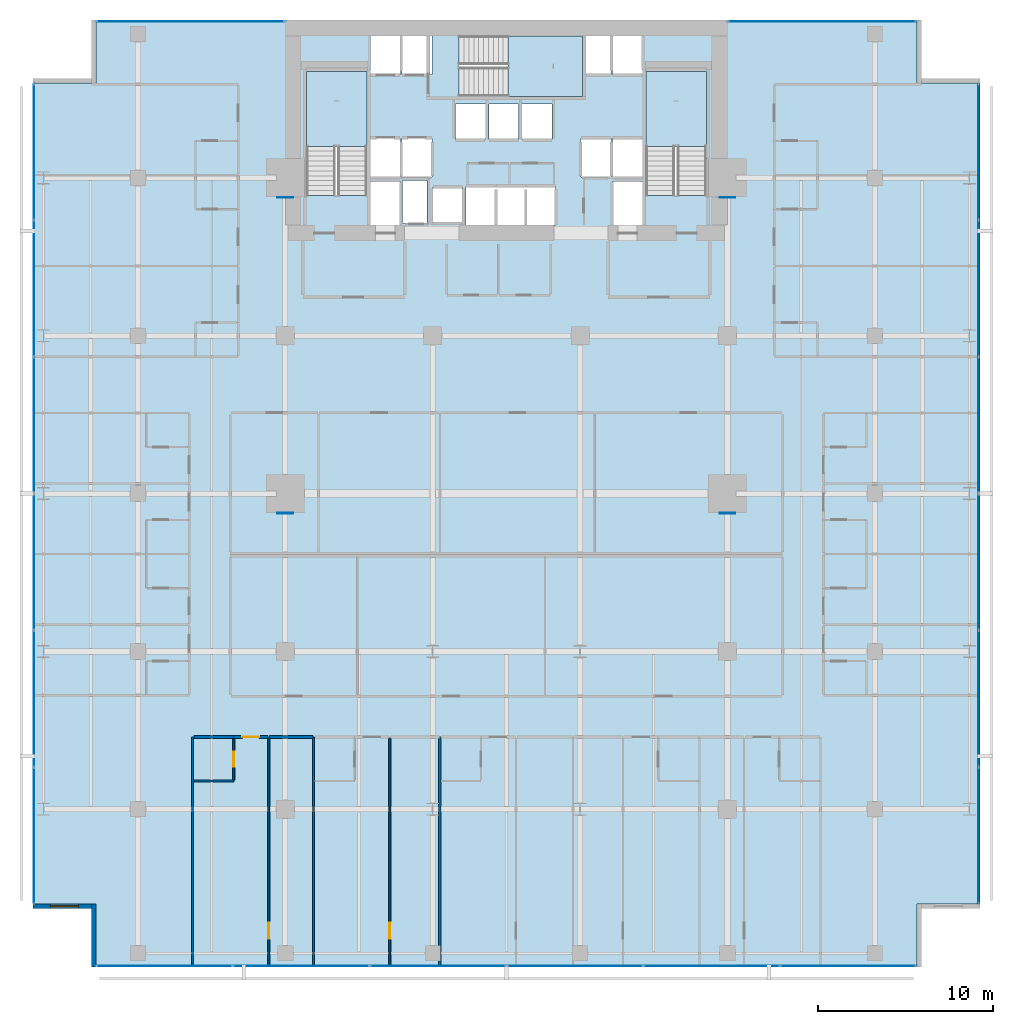
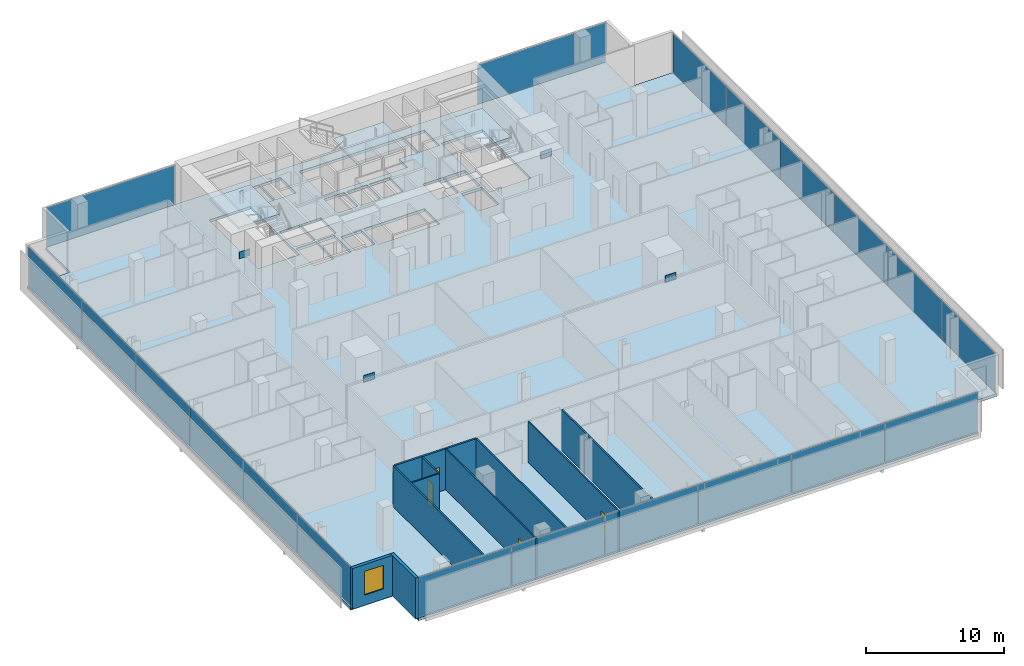
# One storey, part 32 of 41: 24 plates, 12 walls, 4 doors, 4 slabs, 1 window, 5 openings, 8 elements without a shape of their own.
"""IFC4 building model written with IfcOpenShell, lengths in metres."""

from ifc_helpers import new_model, si_unit, direction, frame, frame_2d, origin, origin_2d, place, context, subcontext, project, spatial, polyline, rectangle, outline, extrude, material, layer, layer_set, type_object, element, fill, aggregate, save


model = new_model("IFC4")

# Units and contexts
model_context = context("Model", 3, precision=1e-05, world=origin(), true_north=direction((0.0, 1.0)))
body_context = subcontext(model_context, "Body", "Model", "MODEL_VIEW")
ifc_project = project(units=[si_unit("LENGTHUNIT", "METRE"), si_unit("AREAUNIT", "SQUARE_METRE"), si_unit("VOLUMEUNIT", "CUBIC_METRE"), si_unit("PLANEANGLEUNIT", "RADIAN"), si_unit("MASSUNIT", "GRAM", prefix="KILO")], contexts=[model_context])

# Site, building, storey
site_placement = place(None, origin())
site = spatial("IfcSite", under=ifc_project, at=site_placement, CompositionType="ELEMENT")
building_placement = place(site_placement, origin())
building = spatial("IfcBuilding", under=site, at=building_placement, Name="Maruvema Waterfront Hotel and Observation Tower", CompositionType="ELEMENT")
storey_placement = place(building_placement, frame((0.0, 0.0, 84.699951171875)))
storey = spatial("IfcBuildingStorey", under=building, at=storey_placement, Name="L20", CompositionType="ELEMENT", Elevation=84.699951171875)

# Slab
ifc_material_1 = material(Name="Concrete C50/60", Category="concrete")
ifc_layer_1 = layer(ifc_material_1, 0.239990234375, Name="Reinforced Concrete Floor Slab 240 mm")
ifc_layer_set_1 = layer_set([ifc_layer_1], Name="Concrete C50/60")
slab_type_1 = type_object("IfcSlabType", Name="Reinforced Concrete Floor Slab 240 mm", PredefinedType="FLOOR", material=ifc_layer_set_1)
slab_1_placement = place(storey_placement, frame((0.0, 0.0, -0.239990234375)))
element("IfcSlab", 1, at=slab_1_placement, inside=storey, type_object=slab_type_1, Name="L20 Structural Floor Slab", PredefinedType="FLOOR", context=body_context, shape_type="SweptSolid", body=[
    extrude(outline(polyline([(14.39990234375, 0.0), (61.199951171875, 0.0), (61.199951171875, 3.60009765625), (64.800048828125, 3.60009765625), (64.800048828125, 50.39990234375), (61.199951171875, 50.39990234375), (61.199951171875, 54.0), (14.39990234375, 54.0), (14.39990234375, 50.39990234375), (10.800048828125, 50.39990234375), (10.800048828125, 3.60009765625), (14.39990234375, 3.60009765625), (14.39990234375, 0.0)]), holes=[polyline([(26.39990234375, 44.00048828125), (26.39990234375, 51.050048828125), (29.85009765625, 51.050048828125), (29.85009765625, 44.00048828125), (26.39990234375, 44.00048828125)]), polyline([(30.050048828125, 44.800048828125), (31.75, 44.800048828125), (31.75, 42.320068359375), (30.050048828125, 42.320068359375), (30.050048828125, 44.800048828125)]), polyline([(31.75, 47.25), (31.75, 45.050048828125), (30.050048828125, 45.050048828125), (30.050048828125, 47.25), (31.75, 47.25)]), polyline([(31.75, 53.10009765625), (31.75, 50.89990234375), (30.050048828125, 50.89990234375), (30.050048828125, 53.10009765625), (31.75, 53.10009765625)]), polyline([(33.280029296875, 44.860107421875), (33.280029296875, 42.43994140625), (31.8798828125, 42.43994140625), (31.8798828125, 44.860107421875), (33.280029296875, 44.860107421875)]), polyline([(31.85009765625, 47.25), (33.550048828125, 47.25), (33.550048828125, 45.050048828125), (31.85009765625, 45.050048828125), (31.85009765625, 47.25)]), polyline([(31.85009765625, 53.10009765625), (33.550048828125, 53.10009765625), (33.550048828125, 50.89990234375), (31.85009765625, 50.89990234375), (31.85009765625, 53.10009765625)]), polyline([(33.60009765625, 44.449951171875), (35.300048828125, 44.449951171875), (35.300048828125, 42.449951171875), (33.60009765625, 42.449951171875), (33.60009765625, 44.449951171875)]), polyline([(34.89990234375, 49.199951171875), (36.60009765625, 49.199951171875), (36.60009765625, 47.199951171875), (34.89990234375, 47.199951171875), (34.89990234375, 49.199951171875)]), polyline([(38.5, 49.199951171875), (38.5, 47.199951171875), (36.800048828125, 47.199951171875), (36.800048828125, 49.199951171875), (38.5, 49.199951171875)]), polyline([(35.5, 44.5), (40.60009765625, 44.5), (40.60009765625, 42.300048828125), (35.5, 42.300048828125), (35.5, 44.5)]), polyline([(43.75, 50.89990234375), (42.14990234375, 50.89990234375), (42.14990234375, 49.64990234375), (35.1005859375, 49.64990234375), (35.1005859375, 53.10009765625), (43.75, 53.10009765625), (43.75, 50.89990234375)]), polyline([(40.39990234375, 49.199951171875), (40.39990234375, 47.199951171875), (38.699951171875, 47.199951171875), (38.699951171875, 49.199951171875), (40.39990234375, 49.199951171875)]), polyline([(43.75, 47.25), (43.75, 45.050048828125), (42.050048828125, 45.050048828125), (42.050048828125, 47.25), (43.75, 47.25)]), polyline([(45.550048828125, 44.800048828125), (45.550048828125, 42.320068359375), (43.85009765625, 42.320068359375), (43.85009765625, 44.800048828125), (45.550048828125, 44.800048828125)]), polyline([(43.85009765625, 47.25), (45.550048828125, 47.25), (45.550048828125, 45.050048828125), (43.85009765625, 45.050048828125), (43.85009765625, 47.25)]), polyline([(45.550048828125, 53.10009765625), (45.550048828125, 50.89990234375), (43.85009765625, 50.89990234375), (43.85009765625, 53.10009765625), (45.550048828125, 53.10009765625)]), polyline([(45.75, 51.050048828125), (49.199951171875, 51.050048828125), (49.199951171875, 44.00048828125), (45.75, 44.00048828125), (45.75, 51.050048828125)])]), origin(), (0.0, 0.0, 1.0), 0.239990234375),
])

# Curtain wall, plates
ifc_material_2 = material(Name="Anodised bronze aluminium and solar-control low-E IGU", Category="aluminium")
ifc_layer_2 = layer(ifc_material_2, 0.159912109375, Name="Zone 1 Bronze Inner Thermal Curtain Wall System CW-02")
ifc_layer_set_2 = layer_set([ifc_layer_2], Name="Anodised bronze aluminium and solar-control low-E IGU")
curtain_wall_type = type_object("IfcCurtainWallType", Name="Zone 1 Bronze Inner Thermal Curtain Wall System CW-02", PredefinedType="USERDEFINED", material=ifc_layer_set_2)
curtain_wall_1_placement = place(storey_placement, origin())
curtain_wall_1 = element("IfcCurtainWall", 2, at=curtain_wall_1_placement, inside=storey, type_object=curtain_wall_type, Name="L20 Curtain Wall CW-L20-S", ObjectType="UNITISED CURTAIN WALL", PredefinedType="USERDEFINED")
ifc_material_3 = material(Name="Laminated low-E solar-control double glazing", Category="glass")
ifc_layer_3 = layer(ifc_material_3, 0.035888671875, Name="Solar Control Double-Glazed Curtain Panel 36 mm")
ifc_layer_set_3 = layer_set([ifc_layer_3], Name="Laminated low-E solar-control double glazing")
plate_type_1 = type_object("IfcPlateType", Name="Solar Control Double-Glazed Curtain Panel 36 mm", PredefinedType="CURTAIN_PANEL", material=ifc_layer_set_3)
plate_1_placement = place(storey_placement, frame((18.31494140625, 0.080078125, 0.06005859375), z_axis=(0.0, 0.0, 1.0), x_axis=(1.0, 0.0, 0.0)))
plate_1 = element("IfcPlate", 3, at=plate_1_placement, type_object=plate_type_1, Name="CW-02 panel 1.1", PredefinedType="CURTAIN_PANEL", context=body_context, shape_type="SweptSolid", body=[
    extrude(rectangle(XDim=7.7099609375, YDim=0.028076171875, at=origin_2d()), origin(), (0.0, 0.0, 1.0), 3.489990234375),
])
plate_2_placement = place(storey_placement, frame((26.10009765625, 0.080078125, 0.06005859375), z_axis=(0.0, 0.0, 1.0), x_axis=(1.0, 0.0, 0.0)))
plate_2 = element("IfcPlate", 4, at=plate_2_placement, type_object=plate_type_1, Name="CW-02 panel 2.1", PredefinedType="CURTAIN_PANEL", context=body_context, shape_type="SweptSolid", body=[
    extrude(rectangle(XDim=7.739990234375, YDim=0.028076171875, at=origin_2d()), origin(), (0.0, 0.0, 1.0), 3.489990234375),
])
plate_3_placement = place(storey_placement, frame((33.89990234375, 0.080078125, 0.06005859375), z_axis=(0.0, 0.0, 1.0), x_axis=(1.0, 0.0, 0.0)))
plate_3 = element("IfcPlate", 5, at=plate_3_placement, type_object=plate_type_1, Name="CW-02 panel 3.1", PredefinedType="CURTAIN_PANEL", context=body_context, shape_type="SweptSolid", body=[
    extrude(rectangle(XDim=7.739990234375, YDim=0.028076171875, at=origin_2d()), origin(), (0.0, 0.0, 1.0), 3.489990234375),
])
plate_4_placement = place(storey_placement, frame((41.699951171875, 0.080078125, 0.06005859375), z_axis=(0.0, 0.0, 1.0), x_axis=(1.0, 0.0, 0.0)))
plate_4 = element("IfcPlate", 6, at=plate_4_placement, type_object=plate_type_1, Name="CW-02 panel 4.1", PredefinedType="CURTAIN_PANEL", context=body_context, shape_type="SweptSolid", body=[
    extrude(rectangle(XDim=7.739990234375, YDim=0.028076171875, at=origin_2d()), origin(), (0.0, 0.0, 1.0), 3.489990234375),
])
plate_5_placement = place(storey_placement, frame((49.5, 0.080078125, 0.06005859375), z_axis=(0.0, 0.0, 1.0), x_axis=(1.0, 0.0, 0.0)))
plate_5 = element("IfcPlate", 7, at=plate_5_placement, type_object=plate_type_1, Name="CW-02 panel 5.1", PredefinedType="CURTAIN_PANEL", context=body_context, shape_type="SweptSolid", body=[
    extrude(rectangle(XDim=7.739990234375, YDim=0.028076171875, at=origin_2d()), origin(), (0.0, 0.0, 1.0), 3.489990234375),
])
plate_6_placement = place(storey_placement, frame((57.284912109375, 0.080078125, 0.06005859375), z_axis=(0.0, 0.0, 1.0), x_axis=(1.0, 0.0, 0.0)))
plate_6 = element("IfcPlate", 8, at=plate_6_placement, type_object=plate_type_1, Name="CW-02 panel 6.1", PredefinedType="CURTAIN_PANEL", context=body_context, shape_type="SweptSolid", body=[
    extrude(rectangle(XDim=7.7099609375, YDim=0.028076171875, at=origin_2d()), origin(), (0.0, 0.0, 1.0), 3.489990234375),
])
aggregate(curtain_wall_1, [plate_1, plate_2, plate_3, plate_4, plate_5, plate_6])

curtain_wall_2_placement = place(storey_placement, origin())
curtain_wall_2 = element("IfcCurtainWall", 9, at=curtain_wall_2_placement, inside=storey, type_object=curtain_wall_type, Name="L20 Curtain Wall CW-L20-E", ObjectType="UNITISED CURTAIN WALL", PredefinedType="USERDEFINED")
plate_7_placement = place(storey_placement, frame((64.719970703125, 7.514892578125, 0.06005859375), z_axis=(0.0, 0.0, 1.0), x_axis=(0.0, 1.0, 0.0)))
plate_7 = element("IfcPlate", 10, at=plate_7_placement, type_object=plate_type_1, Name="CW-02 panel 1.1", PredefinedType="CURTAIN_PANEL", context=body_context, shape_type="SweptSolid", body=[
    extrude(rectangle(XDim=7.7099609375, YDim=0.028076171875, at=origin_2d()), origin(), (0.0, 0.0, 1.0), 3.489990234375),
])
plate_8_placement = place(storey_placement, frame((64.719970703125, 15.300048828125, 0.06005859375), z_axis=(0.0, 0.0, 1.0), x_axis=(0.0, 1.0, 0.0)))
plate_8 = element("IfcPlate", 11, at=plate_8_placement, type_object=plate_type_1, Name="CW-02 panel 2.1", PredefinedType="CURTAIN_PANEL", context=body_context, shape_type="SweptSolid", body=[
    extrude(rectangle(XDim=7.739990234375, YDim=0.028076171875, at=origin_2d()), origin(), (0.0, 0.0, 1.0), 3.489990234375),
])
plate_9_placement = place(storey_placement, frame((64.719970703125, 23.10009765625, 0.06005859375), z_axis=(0.0, 0.0, 1.0), x_axis=(0.0, 1.0, 0.0)))
plate_9 = element("IfcPlate", 12, at=plate_9_placement, type_object=plate_type_1, Name="CW-02 panel 3.1", PredefinedType="CURTAIN_PANEL", context=body_context, shape_type="SweptSolid", body=[
    extrude(rectangle(XDim=7.739990234375, YDim=0.028076171875, at=origin_2d()), origin(), (0.0, 0.0, 1.0), 3.489990234375),
])
plate_10_placement = place(storey_placement, frame((64.719970703125, 30.89990234375, 0.06005859375), z_axis=(0.0, 0.0, 1.0), x_axis=(0.0, 1.0, 0.0)))
plate_10 = element("IfcPlate", 13, at=plate_10_placement, type_object=plate_type_1, Name="CW-02 panel 4.1", PredefinedType="CURTAIN_PANEL", context=body_context, shape_type="SweptSolid", body=[
    extrude(rectangle(XDim=7.739990234375, YDim=0.028076171875, at=origin_2d()), origin(), (0.0, 0.0, 1.0), 3.489990234375),
])
plate_11_placement = place(storey_placement, frame((64.719970703125, 38.699951171875, 0.06005859375), z_axis=(0.0, 0.0, 1.0), x_axis=(0.0, 1.0, 0.0)))
plate_11 = element("IfcPlate", 14, at=plate_11_placement, type_object=plate_type_1, Name="CW-02 panel 5.1", PredefinedType="CURTAIN_PANEL", context=body_context, shape_type="SweptSolid", body=[
    extrude(rectangle(XDim=7.739990234375, YDim=0.028076171875, at=origin_2d()), origin(), (0.0, 0.0, 1.0), 3.489990234375),
])
plate_12_placement = place(storey_placement, frame((64.719970703125, 46.485107421875, 0.06005859375), z_axis=(0.0, 0.0, 1.0), x_axis=(0.0, 1.0, 0.0)))
plate_12 = element("IfcPlate", 15, at=plate_12_placement, type_object=plate_type_1, Name="CW-02 panel 6.1", PredefinedType="CURTAIN_PANEL", context=body_context, shape_type="SweptSolid", body=[
    extrude(rectangle(XDim=7.7099609375, YDim=0.028076171875, at=origin_2d()), origin(), (0.0, 0.0, 1.0), 3.489990234375),
])
aggregate(curtain_wall_2, [plate_7, plate_8, plate_9, plate_10, plate_11, plate_12])

curtain_wall_3_placement = place(storey_placement, origin())
curtain_wall_3 = element("IfcCurtainWall", 16, at=curtain_wall_3_placement, inside=storey, type_object=curtain_wall_type, Name="L20 Curtain Wall CW-L20-W", ObjectType="UNITISED CURTAIN WALL", PredefinedType="USERDEFINED")
plate_13_placement = place(storey_placement, frame((10.8798828125, 46.485107421875, 0.06005859375), z_axis=(0.0, 0.0, 1.0), x_axis=(0.0, -1.0, 0.0)))
plate_13 = element("IfcPlate", 17, at=plate_13_placement, type_object=plate_type_1, Name="CW-02 panel 1.1", PredefinedType="CURTAIN_PANEL", context=body_context, shape_type="SweptSolid", body=[
    extrude(rectangle(XDim=7.7099609375, YDim=0.028076171875, at=origin_2d()), origin(), (0.0, 0.0, 1.0), 3.489990234375),
])
plate_14_placement = place(storey_placement, frame((10.8798828125, 38.699951171875, 0.06005859375), z_axis=(0.0, 0.0, 1.0), x_axis=(0.0, -1.0, 0.0)))
plate_14 = element("IfcPlate", 18, at=plate_14_placement, type_object=plate_type_1, Name="CW-02 panel 2.1", PredefinedType="CURTAIN_PANEL", context=body_context, shape_type="SweptSolid", body=[
    extrude(rectangle(XDim=7.739990234375, YDim=0.028076171875, at=origin_2d()), origin(), (0.0, 0.0, 1.0), 3.489990234375),
])
plate_15_placement = place(storey_placement, frame((10.8798828125, 30.89990234375, 0.06005859375), z_axis=(0.0, 0.0, 1.0), x_axis=(0.0, -1.0, 0.0)))
plate_15 = element("IfcPlate", 19, at=plate_15_placement, type_object=plate_type_1, Name="CW-02 panel 3.1", PredefinedType="CURTAIN_PANEL", context=body_context, shape_type="SweptSolid", body=[
    extrude(rectangle(XDim=7.739990234375, YDim=0.028076171875, at=origin_2d()), origin(), (0.0, 0.0, 1.0), 3.489990234375),
])
plate_16_placement = place(storey_placement, frame((10.8798828125, 23.10009765625, 0.06005859375), z_axis=(0.0, 0.0, 1.0), x_axis=(0.0, -1.0, 0.0)))
plate_16 = element("IfcPlate", 20, at=plate_16_placement, type_object=plate_type_1, Name="CW-02 panel 4.1", PredefinedType="CURTAIN_PANEL", context=body_context, shape_type="SweptSolid", body=[
    extrude(rectangle(XDim=7.739990234375, YDim=0.028076171875, at=origin_2d()), origin(), (0.0, 0.0, 1.0), 3.489990234375),
])
plate_17_placement = place(storey_placement, frame((10.8798828125, 15.300048828125, 0.06005859375), z_axis=(0.0, 0.0, 1.0), x_axis=(0.0, -1.0, 0.0)))
plate_17 = element("IfcPlate", 21, at=plate_17_placement, type_object=plate_type_1, Name="CW-02 panel 5.1", PredefinedType="CURTAIN_PANEL", context=body_context, shape_type="SweptSolid", body=[
    extrude(rectangle(XDim=7.739990234375, YDim=0.028076171875, at=origin_2d()), origin(), (0.0, 0.0, 1.0), 3.489990234375),
])
plate_18_placement = place(storey_placement, frame((10.8798828125, 7.514892578125, 0.06005859375), z_axis=(0.0, 0.0, 1.0), x_axis=(0.0, -1.0, 0.0)))
plate_18 = element("IfcPlate", 22, at=plate_18_placement, type_object=plate_type_1, Name="CW-02 panel 6.1", PredefinedType="CURTAIN_PANEL", context=body_context, shape_type="SweptSolid", body=[
    extrude(rectangle(XDim=7.7099609375, YDim=0.028076171875, at=origin_2d()), origin(), (0.0, 0.0, 1.0), 3.489990234375),
])
aggregate(curtain_wall_3, [plate_13, plate_14, plate_15, plate_16, plate_17, plate_18])

# Curtain wall, plate
curtain_wall_4_placement = place(storey_placement, origin())
curtain_wall_4 = element("IfcCurtainWall", 23, at=curtain_wall_4_placement, inside=storey, type_object=curtain_wall_type, Name="L20 Curtain Wall CW-L20-NW", ObjectType="UNITISED CURTAIN WALL", PredefinedType="USERDEFINED")
plate_19_placement = place(storey_placement, frame((19.800048828125, 53.919921875, 0.06005859375), z_axis=(0.0, 0.0, 1.0), x_axis=(-1.0, 0.0, 0.0)))
plate_19 = element("IfcPlate", 24, at=plate_19_placement, type_object=plate_type_1, Name="CW-02 panel 1.1", PredefinedType="CURTAIN_PANEL", context=body_context, shape_type="SweptSolid", body=[
    extrude(rectangle(XDim=10.679931640625, YDim=0.028076171875, at=origin_2d()), origin(), (0.0, 0.0, 1.0), 3.489990234375),
])
aggregate(curtain_wall_4, [plate_19])

curtain_wall_5_placement = place(storey_placement, origin())
curtain_wall_5 = element("IfcCurtainWall", 25, at=curtain_wall_5_placement, inside=storey, type_object=curtain_wall_type, Name="L20 Curtain Wall CW-L20-NE", ObjectType="UNITISED CURTAIN WALL", PredefinedType="USERDEFINED")
plate_20_placement = place(storey_placement, frame((55.800048828125, 53.919921875, 0.06005859375), z_axis=(0.0, 0.0, 1.0), x_axis=(-1.0, 0.0, 0.0)))
plate_20 = element("IfcPlate", 26, at=plate_20_placement, type_object=plate_type_1, Name="CW-02 panel 1.1", PredefinedType="CURTAIN_PANEL", context=body_context, shape_type="SweptSolid", body=[
    extrude(rectangle(XDim=10.679931640625, YDim=0.028076171875, at=origin_2d()), origin(), (0.0, 0.0, 1.0), 3.489990234375),
])
aggregate(curtain_wall_5, [plate_20])

# Stair, slab
ifc_material_4 = material(Name="Concrete C50/60", Category="concrete")
stair_type = type_object("IfcStairType", Name="Dogleg Exit Stair 1650 mm (22R x 175.0 mm)", PredefinedType="HALF_TURN_STAIR", material=ifc_material_4)
stair_1_placement = place(storey_placement, origin())
stair_1 = element("IfcStair", 27, at=stair_1_placement, inside=storey, type_object=stair_type, Name="L20 ST-01", PredefinedType="HALF_TURN_STAIR")
ifc_material_5 = material(Name="Concrete C50/60", Category="concrete")
ifc_layer_4 = layer(ifc_material_5, 0.219970703125, Name="Stair Concrete Landing Slab 220 mm")
ifc_layer_set_4 = layer_set([ifc_layer_4], Name="Concrete C50/60")
slab_type_2 = type_object("IfcSlabType", Name="Stair Concrete Landing Slab 220 mm", PredefinedType="LANDING", material=ifc_layer_set_4)
slab_2_placement = place(storey_placement, frame((0.0, 0.0, 1.705078125)))
slab_2 = element("IfcSlab", 28, at=slab_2_placement, type_object=slab_type_2, Name="ST-01 landing 1", PredefinedType="LANDING", context=body_context, shape_type="SweptSolid", body=[
    extrude(outline(polyline([(29.85009765625, 46.800048828125), (29.85009765625, 51.050048828125), (26.39990234375, 51.050048828125), (26.39990234375, 46.800048828125), (29.85009765625, 46.800048828125)])), origin(), (0.0, 0.0, 1.0), 0.219970703125),
])
aggregate(stair_1, [slab_2])

stair_2_placement = place(storey_placement, origin())
stair_2 = element("IfcStair", 29, at=stair_2_placement, inside=storey, type_object=stair_type, Name="L20 ST-02", PredefinedType="HALF_TURN_STAIR")
slab_3_placement = place(storey_placement, frame((0.0, 0.0, 1.705078125)))
slab_3 = element("IfcSlab", 30, at=slab_3_placement, type_object=slab_type_2, Name="ST-02 landing 1", PredefinedType="LANDING", context=body_context, shape_type="SweptSolid", body=[
    extrude(outline(polyline([(37.89990234375, 49.64990234375), (42.14990234375, 49.64990234375), (42.14990234375, 53.10009765625), (37.89990234375, 53.10009765625), (37.89990234375, 49.64990234375)])), origin(), (0.0, 0.0, 1.0), 0.219970703125),
])
aggregate(stair_2, [slab_3])

stair_3_placement = place(storey_placement, origin())
stair_3 = element("IfcStair", 31, at=stair_3_placement, inside=storey, type_object=stair_type, Name="L20 ST-03", PredefinedType="HALF_TURN_STAIR")
slab_4_placement = place(storey_placement, frame((0.0, 0.0, 1.705078125)))
slab_4 = element("IfcSlab", 32, at=slab_4_placement, type_object=slab_type_2, Name="ST-03 landing 1", PredefinedType="LANDING", context=body_context, shape_type="SweptSolid", body=[
    extrude(outline(polyline([(49.199951171875, 46.800048828125), (49.199951171875, 51.050048828125), (45.75, 51.050048828125), (45.75, 46.800048828125), (49.199951171875, 46.800048828125)])), origin(), (0.0, 0.0, 1.0), 0.219970703125),
])
aggregate(stair_3, [slab_4])

# Plates
ifc_material_6 = material(Name="Steel ABNT NBR 7007 AR 415 (ASTM A572 Grade 50)", Category="steel")
ifc_layer_5 = layer(ifc_material_6, 0.0400390625, Name="Structural Truss Node Gusset Plate 40 mm")
ifc_layer_set_5 = layer_set([ifc_layer_5], Name="Steel ABNT NBR 7007 AR 415 (ASTM A572 Grade 50)")
plate_type_2 = type_object("IfcPlateType", Name="Structural Truss Node Gusset Plate 40 mm", PredefinedType="USERDEFINED", material=ifc_layer_set_5)
for number, where, z_axis, x_axis, name in (
    (33, (25.199951171875, 25.8798828125, 1.5), (0.0, 0.0, 1.0), (1.0, 0.0, 0.0), "L20 MC-01 Moment Frame Continuity Gusset Plate"),
    (34, (50.39990234375, 25.8798828125, 1.5), (0.0, 0.0, 1.0), (1.0, 0.0, 0.0), "L20 MC-02 Moment Frame Continuity Gusset Plate"),
    (35, (25.199951171875, 43.8798828125, 1.5), (0.0, 0.0, 1.0), (1.0, 0.0, 0.0), "L20 MC-03 Moment Frame Continuity Gusset Plate"),
    (36, (50.39990234375, 43.8798828125, 1.5), (0.0, 0.0, 1.0), (1.0, 0.0, 0.0), "L20 MC-04 Moment Frame Continuity Gusset Plate"),
):
    element("IfcPlate", number, at=place(storey_placement, frame(where, z_axis=z_axis, x_axis=x_axis)), inside=storey, type_object=plate_type_2, Name=name, ObjectType="GUSSET_PLATE", PredefinedType="USERDEFINED", context=body_context, shape_type="SweptSolid", body=[
        extrude(rectangle(XDim=0.89990234375, YDim=0.0400390625, at=origin_2d()), origin(), (0.0, 0.0, 1.0), 0.60009765625),
    ])

# Wall
ifc_material_7 = material(Name="Twin-stud acoustic gypsum drywall", Category="gypsum")
ifc_layer_6 = layer(ifc_material_7, 0.14990234375, Name="Acoustic Corridor and Suite Demising Wall 150 mm")
ifc_layer_set_6 = layer_set([ifc_layer_6], Name="Twin-stud acoustic gypsum drywall")
wall_type_1 = type_object("IfcWallType", Name="Acoustic Corridor and Suite Demising Wall 150 mm", PredefinedType="PARTITIONING", material=ifc_layer_set_6)
wall_1_placement = place(storey_placement, frame((19.97998046875, 13.1201171875, 0.0), z_axis=(0.0, 0.0, 1.0), x_axis=(1.0, 0.0, 0.0)))
element("IfcWall", 37, at=wall_1_placement, inside=storey, type_object=wall_type_1, Name="L20 Bath L20-S1 Back Wall 042", PredefinedType="PARTITIONING", context=body_context, shape_type="SweptSolid", body=[
    extrude(rectangle(XDim=2.27001953125, YDim=0.14990234375, at=frame_2d((1.135009765625, 0.0))), origin(), (0.0, 0.0, 1.0), 3.610107421875),
])

# Wall, opening, door
wall_2_placement = place(storey_placement, frame((22.25, 13.1201171875, 0.0), z_axis=(0.0, 0.0, 1.0), x_axis=(1.0, 0.0, 0.0)))
wall_2 = element("IfcWall", 38, at=wall_2_placement, inside=storey, type_object=wall_type_1, Name="L20 Unit L20-S1 Corridor Wall 045", PredefinedType="PARTITIONING", context=body_context, shape_type="SweptSolid", body=[
    extrude(rectangle(XDim=1.9599609375, YDim=0.14990234375, at=frame_2d((0.97998046875, 0.0))), origin(), (0.0, 0.0, 1.0), 3.610107421875),
])
opening_1_placement = place(wall_2_placement, frame((0.5048828125, 0.0, 0.0)))
opening_1 = element("IfcOpeningElement", 39, at=opening_1_placement, cuts=wall_2, Name="Opening DR-095", PredefinedType="OPENING", context=body_context, shape_type="SweptSolid", body=[
    extrude(rectangle(XDim=0.949951171875, YDim=2.14990234375, at=frame_2d((0.47509765625, 1.074951171875))), frame((0.0, 0.0849609375, 0.0), z_axis=(0.0, -1.0, 0.0), x_axis=(1.0, 0.0, 0.0)), (0.0, 0.0, 1.0), 0.169921875),
])
ifc_material_8 = material(Name="Acoustic solid-core hardwood timber leaf", Category="wood")
door_type_1 = type_object("IfcDoorType", Name="Guestroom Entrance Fire Door 950x2150 mm", OperationType="NOTDEFINED", PredefinedType="DOOR", material=ifc_material_8)
door_1_placement = place(opening_1_placement, frame((0.949951171875, 0.0, 0.0), z_axis=(0.0, 0.0, 1.0), x_axis=(-1.0, 0.0, 0.0)))
door_1 = element("IfcDoor", 40, at=door_1_placement, inside=storey, type_object=door_type_1, Name="L20 Unit L20-S1 Entrance Door", OperationType="SINGLE_SWING_RIGHT", OverallHeight=2.14990234375, OverallWidth=0.949951171875, PredefinedType="DOOR", context=body_context, shape_type="SweptSolid", body=[
    extrude(rectangle(XDim=0.949951171875, YDim=2.14990234375, at=frame_2d((0.47509765625, 1.074951171875))), frame((0.0, 0.02490234375, 0.0), z_axis=(0.0, -1.0, 0.0), x_axis=(1.0, 0.0, 0.0)), (0.0, 0.0, 1.0), 0.050048828125),
])
fill(opening_1, door_1)

# Walls
wall_3_placement = place(storey_placement, frame((24.2900390625, 13.1201171875, 0.0), z_axis=(0.0, 0.0, 1.0), x_axis=(1.0, 0.0, 0.0)))
element("IfcWall", 41, at=wall_3_placement, inside=storey, type_object=wall_type_1, Name="L20 Bedroom L20-S1 Back Wall 046", PredefinedType="PARTITIONING", context=body_context, shape_type="SweptSolid", body=[
    extrude(rectangle(XDim=2.489990234375, YDim=0.14990234375, at=frame_2d((1.2451171875, 0.0))), origin(), (0.0, 0.0, 1.0), 3.610107421875),
])
ifc_material_9 = material(Name="Moisture-resistant cement-board drywall", Category="gypsum")
ifc_layer_7 = layer(ifc_material_9, 0.10009765625, Name="En-Suite Moisture-Resistant Partition 100 mm")
ifc_layer_set_7 = layer_set([ifc_layer_7], Name="Moisture-resistant cement-board drywall")
wall_type_2 = type_object("IfcWallType", Name="En-Suite Moisture-Resistant Partition 100 mm", PredefinedType="PARTITIONING", material=ifc_layer_set_7)
wall_4_placement = place(storey_placement, frame((19.97998046875, 10.6201171875, 0.0), z_axis=(0.0, 0.0, 1.0), x_axis=(1.0, 0.0, 0.0)))
element("IfcWall", 42, at=wall_4_placement, inside=storey, type_object=wall_type_2, Name="L20 En-Suite L20-S1 South 043", PredefinedType="PARTITIONING", context=body_context, shape_type="SweptSolid", body=[
    extrude(rectangle(XDim=2.27001953125, YDim=0.10009765625, at=frame_2d((1.135009765625, 0.0))), origin(), (0.0, 0.0, 1.0), 3.610107421875),
])

# Wall, opening, door
wall_5_placement = place(storey_placement, frame((22.25, 10.679931640625, 0.0), z_axis=(0.0, 0.0, 1.0), x_axis=(0.0, 1.0, 0.0)))
wall_5 = element("IfcWall", 43, at=wall_5_placement, inside=storey, type_object=wall_type_2, Name="L20 En-Suite L20-S1 East 044", PredefinedType="PARTITIONING", context=body_context, shape_type="SweptSolid", body=[
    extrude(rectangle(XDim=2.340087890625, YDim=0.10009765625, at=frame_2d((1.169921875, 0.0))), origin(), (0.0, 0.0, 1.0), 3.610107421875),
])
opening_2_placement = place(wall_5_placement, frame((0.7451171875, 0.0, 0.0)))
opening_2 = element("IfcOpeningElement", 44, at=opening_2_placement, cuts=wall_5, Name="Opening DR-085", PredefinedType="OPENING", context=body_context, shape_type="SweptSolid", body=[
    extrude(rectangle(XDim=0.85009765625, YDim=2.10009765625, at=frame_2d((0.425048828125, 1.050048828125))), frame((0.0, 0.06005859375, 0.0), z_axis=(0.0, -1.0, 0.0), x_axis=(1.0, 0.0, 0.0)), (0.0, 0.0, 1.0), 0.1201171875),
])
ifc_material_10 = material(Name="Moisture-resistant solid timber leaf", Category="wood")
door_type_2 = type_object("IfcDoorType", Name="En-Suite Bathroom Door 850x2100 mm", OperationType="NOTDEFINED", PredefinedType="DOOR", material=ifc_material_10)
door_2_placement = place(opening_2_placement, frame((0.85009765625, 0.0, 0.0), z_axis=(0.0, 0.0, 1.0), x_axis=(-1.0, 0.0, 0.0)))
door_2 = element("IfcDoor", 45, at=door_2_placement, inside=storey, type_object=door_type_2, Name="L20 En-Suite L20-S1 Door", OperationType="SINGLE_SWING_LEFT", OverallHeight=2.10009765625, OverallWidth=0.85009765625, PredefinedType="DOOR", context=body_context, shape_type="SweptSolid", body=[
    extrude(rectangle(XDim=0.85009765625, YDim=2.10009765625, at=frame_2d((0.425048828125, 1.050048828125))), frame((0.0, 0.02490234375, 0.0), z_axis=(0.0, -1.0, 0.0), x_axis=(1.0, 0.0, 0.0)), (0.0, 0.0, 1.0), 0.050048828125),
])
fill(opening_2, door_2)

wall_6_placement = place(storey_placement, frame((24.25, 0.030029296875, 0.0), z_axis=(0.0, 0.0, 1.0), x_axis=(0.0, 1.0, 0.0)))
wall_6 = element("IfcWall", 46, at=wall_6_placement, inside=storey, type_object=wall_type_2, Name="L20 Suite L20-S1 Split 047", PredefinedType="PARTITIONING", context=body_context, shape_type="SweptSolid", body=[
    extrude(rectangle(XDim=13.030029296875, YDim=0.10009765625, at=frame_2d((6.51513671875, 0.0))), origin(), (0.0, 0.0, 1.0), 3.610107421875),
])
opening_3_placement = place(wall_6_placement, frame((1.60009765625, 0.0, 0.0)))
opening_3 = element("IfcOpeningElement", 47, at=opening_3_placement, cuts=wall_6, Name="Opening DR-090", PredefinedType="OPENING", context=body_context, shape_type="SweptSolid", body=[
    extrude(rectangle(XDim=0.89990234375, YDim=2.10009765625, at=frame_2d((0.449951171875, 1.050048828125))), frame((0.0, 0.06005859375, 0.0), z_axis=(0.0, -1.0, 0.0), x_axis=(1.0, 0.0, 0.0)), (0.0, 0.0, 1.0), 0.1201171875),
])
ifc_material_11 = material(Name="Solid-core lacquered timber leaf", Category="wood")
door_type_3 = type_object("IfcDoorType", Name="Accessible Toilet and Room Door 900x2100 mm", OperationType="NOTDEFINED", PredefinedType="DOOR", material=ifc_material_11)
door_3_placement = place(opening_3_placement, origin())
door_3 = element("IfcDoor", 48, at=door_3_placement, inside=storey, type_object=door_type_3, Name="L20 Suite L20-S1 Bedroom Door", OperationType="SINGLE_SWING_LEFT", OverallHeight=2.10009765625, OverallWidth=0.89990234375, PredefinedType="DOOR", context=body_context, shape_type="SweptSolid", body=[
    extrude(rectangle(XDim=0.89990234375, YDim=2.10009765625, at=frame_2d((0.449951171875, 1.050048828125))), frame((0.0, 0.02490234375, 0.0), z_axis=(0.0, -1.0, 0.0), x_axis=(1.0, 0.0, 0.0)), (0.0, 0.0, 1.0), 0.050048828125),
])
fill(opening_3, door_3)

wall_7_placement = place(storey_placement, frame((31.14990234375, 0.030029296875, 0.0), z_axis=(0.0, 0.0, 1.0), x_axis=(0.0, 1.0, 0.0)))
wall_7 = element("IfcWall", 49, at=wall_7_placement, inside=storey, type_object=wall_type_2, Name="L20 Suite L20-S2 Split 054", PredefinedType="PARTITIONING", context=body_context, shape_type="SweptSolid", body=[
    extrude(rectangle(XDim=13.030029296875, YDim=0.10009765625, at=frame_2d((6.51513671875, 0.0))), origin(), (0.0, 0.0, 1.0), 3.610107421875),
])
opening_4_placement = place(wall_7_placement, frame((1.60009765625, 0.0, 0.0)))
opening_4 = element("IfcOpeningElement", 50, at=opening_4_placement, cuts=wall_7, Name="Opening DR-090", PredefinedType="OPENING", context=body_context, shape_type="SweptSolid", body=[
    extrude(rectangle(XDim=0.89990234375, YDim=2.10009765625, at=frame_2d((0.449951171875, 1.050048828125))), frame((0.0, 0.06005859375, 0.0), z_axis=(0.0, -1.0, 0.0), x_axis=(1.0, 0.0, 0.0)), (0.0, 0.0, 1.0), 0.1201171875),
])
door_4_placement = place(opening_4_placement, origin())
door_4 = element("IfcDoor", 51, at=door_4_placement, inside=storey, type_object=door_type_3, Name="L20 Suite L20-S2 Bedroom Door", OperationType="SINGLE_SWING_RIGHT", OverallHeight=2.10009765625, OverallWidth=0.89990234375, PredefinedType="DOOR", context=body_context, shape_type="SweptSolid", body=[
    extrude(rectangle(XDim=0.89990234375, YDim=2.10009765625, at=frame_2d((0.449951171875, 1.050048828125))), frame((0.0, 0.02490234375, 0.0), z_axis=(0.0, -1.0, 0.0), x_axis=(1.0, 0.0, 0.0)), (0.0, 0.0, 1.0), 0.050048828125),
])
fill(opening_4, door_4)

# Wall
ifc_material_12 = material(Name="Precast concrete C45/55 with honed Pernambuco granite facing", Category="masonry")
ifc_layer_8 = layer(ifc_material_12, 0.260009765625, Name="Exterior Granite Clad Spandrel and Pier Wall 260 mm")
ifc_layer_set_8 = layer_set([ifc_layer_8], Name="Precast concrete C45/55 with honed Pernambuco granite facing")
wall_type_3 = type_object("IfcWallType", Name="Exterior Granite Clad Spandrel and Pier Wall 260 mm", PredefinedType="SOLIDWALL", material=ifc_layer_set_8)
wall_8_placement = place(storey_placement, frame((14.27001953125, 0.0, 0.0), z_axis=(0.0, 0.0, 1.0), x_axis=(0.0, 1.0, 0.0)))
element("IfcWall", 52, at=wall_8_placement, inside=storey, type_object=wall_type_3, Name="L20 Corner Notch Granite Pier Wall SW1", PredefinedType="SOLIDWALL", context=body_context, shape_type="SweptSolid", body=[
    extrude(rectangle(XDim=3.60009765625, YDim=0.260009765625, at=frame_2d((1.800048828125, 0.0))), origin(), (0.0, 0.0, 1.0), 3.610107421875),
])

# Wall, opening, window
wall_9_placement = place(storey_placement, frame((14.39990234375, 3.469970703125, 0.0), z_axis=(0.0, 0.0, 1.0), x_axis=(-1.0, 0.0, 0.0)))
wall_9 = element("IfcWall", 53, at=wall_9_placement, inside=storey, type_object=wall_type_3, Name="L20 Corner Notch Granite Pier Wall SW2", PredefinedType="SOLIDWALL", context=body_context, shape_type="SweptSolid", body=[
    extrude(rectangle(XDim=3.599853515625, YDim=0.260009765625, at=frame_2d((1.7998046875, 0.0))), origin(), (0.0, 0.0, 1.0), 3.610107421875),
])
opening_5_placement = place(wall_9_placement, frame((1.0, 0.0, 0.89990234375)))
opening_5 = element("IfcOpeningElement", 54, at=opening_5_placement, cuts=wall_9, Name="Opening WN-01", PredefinedType="OPENING", context=body_context, shape_type="SweptSolid", body=[
    extrude(rectangle(XDim=1.60009765625, YDim=2.10009765625, at=frame_2d((0.800048828125, 1.050048828125))), frame((0.0, 0.14013671875, 0.0), z_axis=(0.0, -1.0, 0.0), x_axis=(1.0, 0.0, 0.0)), (0.0, 0.0, 1.0), 0.280029296875),
])
ifc_material_13 = material(Name="Anodised bronze aluminium frame with laminated low-E glass", Category="aluminium")
window_type = type_object("IfcWindowType", Name="Corner Notch Feature Window 1600x2100 mm", PartitioningType="SINGLE_PANEL", PredefinedType="WINDOW", material=ifc_material_13)
window_placement = place(opening_5_placement, origin())
window = element("IfcWindow", 55, at=window_placement, inside=storey, type_object=window_type, Name="L20 Corner Notch Punched Window SW2", OverallHeight=2.10009765625, OverallWidth=1.60009765625, PartitioningType="SINGLE_PANEL", PredefinedType="WINDOW", context=body_context, shape_type="SweptSolid", body=[
    extrude(rectangle(XDim=1.60009765625, YDim=2.10009765625, at=frame_2d((0.800048828125, 1.050048828125))), frame((0.0, 0.030029296875, 0.0), z_axis=(0.0, -1.0, 0.0), x_axis=(1.0, 0.0, 0.0)), (0.0, 0.0, 1.0), 0.06005859375),
])
fill(opening_5, window)

# Walls
ifc_material_14 = material(Name="Acoustic gypsum plasterboard drywall", Category="gypsum")
ifc_layer_9 = layer(ifc_material_14, 0.125, Name="Guestroom Acoustic Demising Wall 125 mm")
ifc_layer_set_9 = layer_set([ifc_layer_9], Name="Acoustic gypsum plasterboard drywall")
wall_type_4 = type_object("IfcWallType", Name="Guestroom Acoustic Demising Wall 125 mm", PredefinedType="PARTITIONING", material=ifc_layer_set_9)
for number, where, z_axis, x_axis, name in (
    (56, (19.89990234375, 0.10009765625, 0.0), (0.0, 0.0, 1.0), (0.0, 1.0, 0.0), "L20 S West End 040"),
    (57, (26.800048828125, 0.10009765625, 0.0), (0.0, 0.0, 1.0), (0.0, 1.0, 0.0), "L20 S Demising 2 048"),
    (58, (34.0, 0.10009765625, 0.0), (0.0, 0.0, 1.0), (0.0, 1.0, 0.0), "L20 S Demising 3 055"),
):
    element("IfcWall", number, at=place(storey_placement, frame(where, z_axis=z_axis, x_axis=x_axis)), inside=storey, type_object=wall_type_4, Name=name, PredefinedType="PARTITIONING", context=body_context, shape_type="SweptSolid", body=[
        extrude(rectangle(XDim=13.02001953125, YDim=0.125, at=frame_2d((6.510009765625, 0.0))), origin(), (0.0, 0.0, 1.0), 3.610107421875),
    ])

save(model, "model.ifc")
